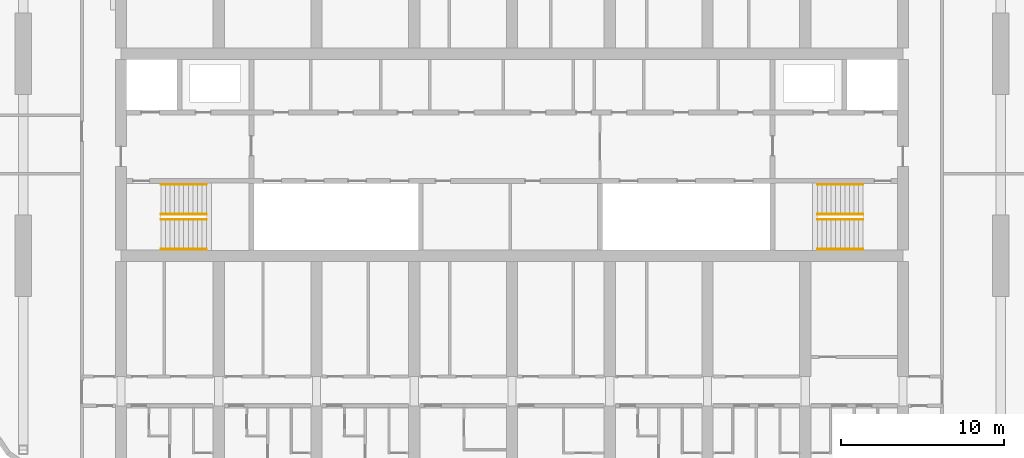
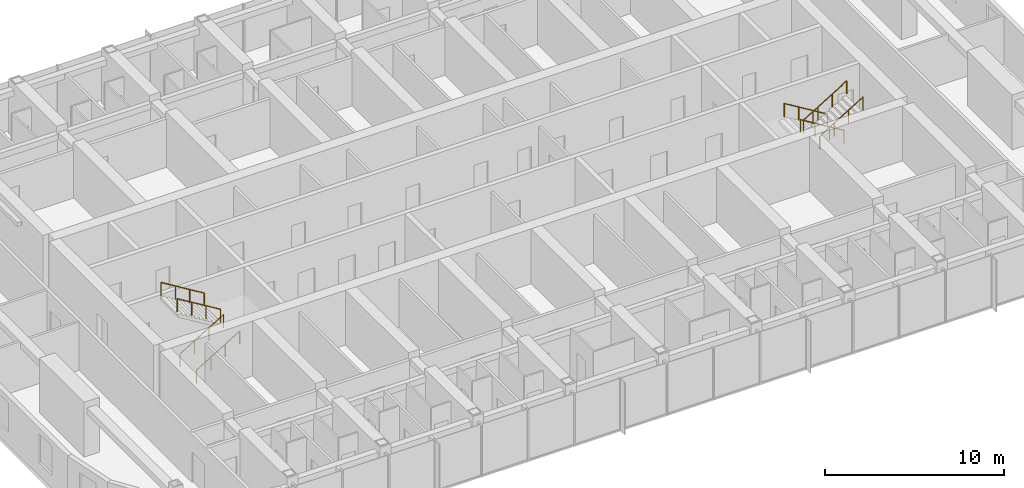
# One storey, part 24 of 24: 8 railings.
"""IFC4 building model written with IfcOpenShell, lengths in metres."""

from ifc_helpers import new_model, si_unit, direction, frame, origin, origin_2d, place, context, subcontext, project, spatial, circle, extrude, material, type_object, element, save


model = new_model("IFC4")

# Units and contexts
model_context = context("Model", 3, precision=1e-05, world=origin(), true_north=direction((0.0, 1.0)))
body_context = subcontext(model_context, "Body", "Model", "MODEL_VIEW")
ifc_project = project(units=[si_unit("LENGTHUNIT", "METRE"), si_unit("AREAUNIT", "SQUARE_METRE"), si_unit("VOLUMEUNIT", "CUBIC_METRE"), si_unit("PLANEANGLEUNIT", "RADIAN"), si_unit("MASSUNIT", "GRAM", prefix="KILO")], contexts=[model_context])

# Site, building, storey
site_placement = place(None, origin())
site = spatial("IfcSite", under=ifc_project, at=site_placement, CompositionType="ELEMENT")
building_placement = place(site_placement, origin())
building = spatial("IfcBuilding", under=site, at=building_placement, Name="Orbita Commons", CompositionType="ELEMENT")
storey_placement = place(building_placement, frame((0.0, 0.0, 242.800048828125)))
storey = spatial("IfcBuildingStorey", under=building, at=storey_placement, Name="L60", CompositionType="ELEMENT", Elevation=242.800048828125)

# Railings
ifc_material = material(Name="Steel tube, painted", Category="steel")
railing_type = type_object("IfcRailingType", Name="Stair handrail steel tube 900", PredefinedType="HANDRAIL", material=ifc_material)
for number, where, name in (
    (1, (20.449951171875, 28.0400390625, 0.17041015625), "Stair S1 handrail L60 flight 1"),
    (2, (20.449951171875, 26.2099609375, 0.17041015625), "Stair S1 handrail L60 flight 1"),
):
    element("IfcRailing", number, at=place(storey_placement, frame(where)), inside=storey, type_object=railing_type, Name=name, PredefinedType="HANDRAIL", context=body_context, shape_type="SweptSolid", body=[
        extrude(circle(Radius=0.02099609375, at=origin_2d()), frame((0.0, 0.0, 0.87890625), z_axis=(0.854169791009, 0.0, 0.51999420009), x_axis=(0.0, 1.0, 0.0)), (0.0, 0.0, 1.0), 3.278076171875),
        extrude(circle(Radius=0.02001953125, at=origin_2d()), origin(), (0.0, 0.0, 1.0), 0.85791015625),
        extrude(circle(Radius=0.02001953125, at=origin_2d()), frame((0.933349609375, 0.0, 0.568115234375)), (0.0, 0.0, 1.0), 0.85791015625),
        extrude(circle(Radius=0.02001953125, at=origin_2d()), frame((1.86669921875, 0.0, 1.136474609375)), (0.0, 0.0, 1.0), 0.85791015625),
        extrude(circle(Radius=0.02001953125, at=origin_2d()), frame((2.800048828125, 0.0, 1.70458984375)), (0.0, 0.0, 1.0), 0.85791015625),
    ])
for number, where, name in (
    (3, (23.25, 28.360107421875, 2.04541015625), "Stair S1 handrail L60 flight 2"),
    (4, (23.25, 30.18994140625, 2.04541015625), "Stair S1 handrail L60 flight 2"),
    (5, (63.550048828125, 28.360107421875, 0.17041015625), "Stair S2 handrail L60 flight 1"),
    (6, (63.550048828125, 30.18994140625, 0.17041015625), "Stair S2 handrail L60 flight 1"),
):
    element("IfcRailing", number, at=place(storey_placement, frame(where)), inside=storey, type_object=railing_type, Name=name, PredefinedType="HANDRAIL", context=body_context, shape_type="SweptSolid", body=[
        extrude(circle(Radius=0.02099609375, at=origin_2d()), frame((0.0, 0.0, 0.87890625), z_axis=(-0.854169791009, 0.0, 0.51999420009), x_axis=(0.0, -1.0, 0.0)), (0.0, 0.0, 1.0), 3.278076171875),
        extrude(circle(Radius=0.02001953125, at=origin_2d()), origin(), (0.0, 0.0, 1.0), 0.85791015625),
        extrude(circle(Radius=0.02001953125, at=origin_2d()), frame((-0.933349609375, 0.0, 0.568115234375)), (0.0, 0.0, 1.0), 0.85791015625),
        extrude(circle(Radius=0.02001953125, at=origin_2d()), frame((-1.86669921875, 0.0, 1.136474609375)), (0.0, 0.0, 1.0), 0.85791015625),
        extrude(circle(Radius=0.02001953125, at=origin_2d()), frame((-2.800048828125, 0.0, 1.70458984375)), (0.0, 0.0, 1.0), 0.85791015625),
    ])
for number, where, name in (
    (7, (60.75, 28.0400390625, 2.04541015625), "Stair S2 handrail L60 flight 2"),
    (8, (60.75, 26.2099609375, 2.04541015625), "Stair S2 handrail L60 flight 2"),
):
    element("IfcRailing", number, at=place(storey_placement, frame(where)), inside=storey, type_object=railing_type, Name=name, PredefinedType="HANDRAIL", context=body_context, shape_type="SweptSolid", body=[
        extrude(circle(Radius=0.02099609375, at=origin_2d()), frame((0.0, 0.0, 0.87890625), z_axis=(0.854169791009, 0.0, 0.51999420009), x_axis=(0.0, 1.0, 0.0)), (0.0, 0.0, 1.0), 3.278076171875),
        extrude(circle(Radius=0.02001953125, at=origin_2d()), origin(), (0.0, 0.0, 1.0), 0.85791015625),
        extrude(circle(Radius=0.02001953125, at=origin_2d()), frame((0.933349609375, 0.0, 0.568115234375)), (0.0, 0.0, 1.0), 0.85791015625),
        extrude(circle(Radius=0.02001953125, at=origin_2d()), frame((1.86669921875, 0.0, 1.136474609375)), (0.0, 0.0, 1.0), 0.85791015625),
        extrude(circle(Radius=0.02001953125, at=origin_2d()), frame((2.800048828125, 0.0, 1.70458984375)), (0.0, 0.0, 1.0), 0.85791015625),
    ])

save(model, "model.ifc")
